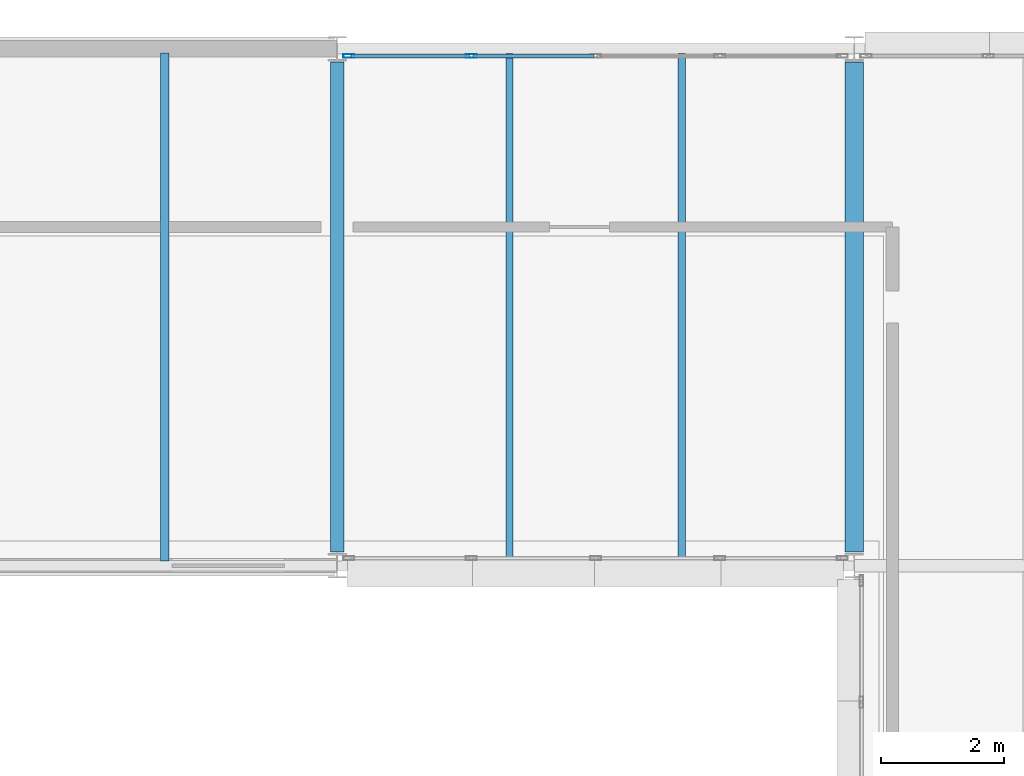
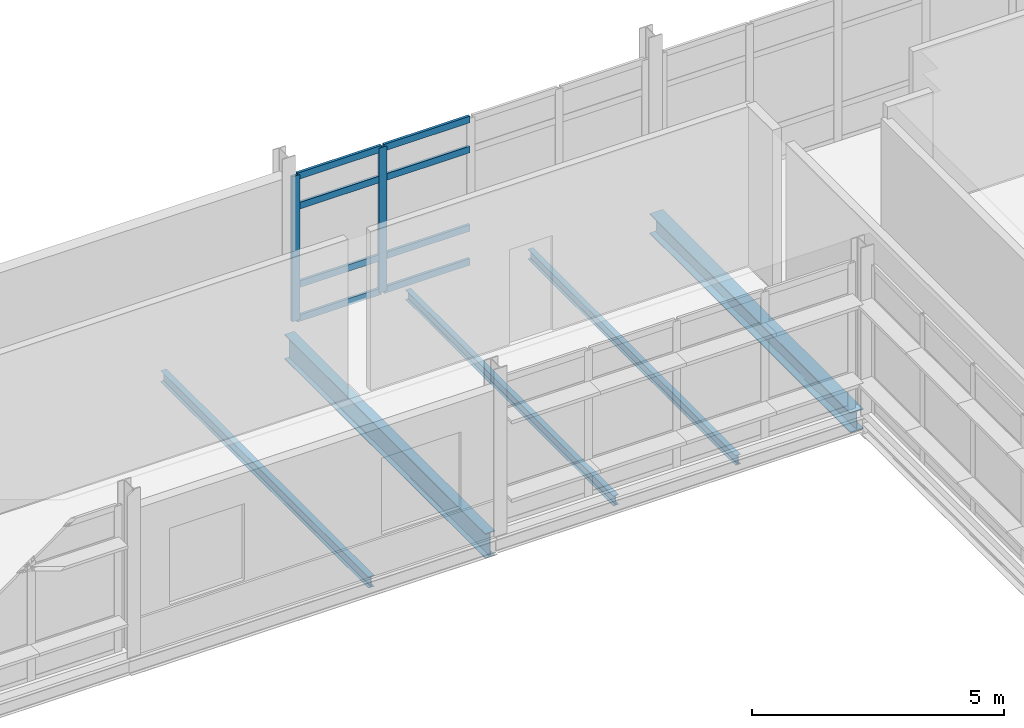
# One storey, part 46 of 103: 10 members, 5 beams, 1 element without a shape of its own.
"""IFC4 building model written with IfcOpenShell, lengths in metres."""

from ifc_helpers import new_model, si_unit, direction, frame, origin, origin_2d, place, context, subcontext, project, spatial, hollow_rectangle, i_section, extrude, material, material_profile, profile_set, type_object, element, aggregate, save


model = new_model("IFC4")

# Units and contexts
model_context = context("Model", 3, precision=1e-05, world=origin(), true_north=direction((0.0, 1.0)))
body_context = subcontext(model_context, "Body", "Model", "MODEL_VIEW")
ifc_project = project(units=[si_unit("LENGTHUNIT", "METRE"), si_unit("AREAUNIT", "SQUARE_METRE"), si_unit("VOLUMEUNIT", "CUBIC_METRE"), si_unit("PLANEANGLEUNIT", "RADIAN"), si_unit("MASSUNIT", "GRAM", prefix="KILO")], contexts=[model_context])

# Site, building, storey
site_placement = place(None, origin())
site = spatial("IfcSite", under=ifc_project, at=site_placement, CompositionType="ELEMENT")
building_placement = place(site_placement, origin())
building = spatial("IfcBuilding", under=site, at=building_placement, Name="Mersafa Astral City Hall", CompositionType="ELEMENT")
storey_placement = place(building_placement, frame((0.0, 0.0, 18.0)))
storey = spatial("IfcBuildingStorey", under=building, at=storey_placement, Name="L04", CompositionType="ELEMENT", Elevation=18.0)

# Curtain wall, members
ifc_material_1 = material(Name="Anodised bronze aluminium framing", Category="aluminium")
curtain_wall_type = type_object("IfcCurtainWallType", Name="ENV-CW-5", PredefinedType="USERDEFINED", material=ifc_material_1)
curtain_wall_placement = place(storey_placement, origin())
curtain_wall = element("IfcCurtainWall", 1, at=curtain_wall_placement, inside=storey, type_object=curtain_wall_type, Name="L04 Unitised solar curtain wall 196", ObjectType="UNITISED CURTAIN WALL", PredefinedType="USERDEFINED")
ifc_material_profile_1 = material_profile(ifc_material_1, hollow_rectangle(XDim=0.06005859375, YDim=0.179931640625, WallThickness=0.00390625, at=origin_2d()), Name="RHS 60x180x4")
ifc_profile_set_1 = profile_set([ifc_material_profile_1], Name="Anodised bronze aluminium framing")
member_type_1 = type_object("IfcMemberType", Name="ENV-CW-MUL-1", PredefinedType="MULLION", material=ifc_profile_set_1)
member_1_placement = place(storey_placement, frame((94.5810546875, 125.8798828125, -0.001953125), z_axis=(0.0, 0.0, 1.0), x_axis=(0.0, -1.0, 0.0)))
member_1 = element("IfcMember", 2, at=member_1_placement, type_object=member_type_1, Name="CW-5 mullion 4", PredefinedType="MULLION", context=body_context, shape_type="SweptSolid", body=[
    extrude(hollow_rectangle(XDim=0.06005859375, YDim=0.179931640625, WallThickness=0.00390625, at=origin_2d()), origin(), (0.0, 0.0, 1.0), 3.509033203125),
])
member_2_placement = place(storey_placement, frame((92.592041015625, 125.8798828125, -0.001953125), z_axis=(0.0, 0.0, 1.0), x_axis=(0.0, -1.0, 0.0)))
member_2 = element("IfcMember", 3, at=member_2_placement, type_object=member_type_1, Name="CW-5 mullion 5", PredefinedType="MULLION", context=body_context, shape_type="SweptSolid", body=[
    extrude(hollow_rectangle(XDim=0.06005859375, YDim=0.179931640625, WallThickness=0.00390625, at=origin_2d()), origin(), (0.0, 0.0, 1.0), 3.509033203125),
])
ifc_material_profile_2 = material_profile(ifc_material_1, hollow_rectangle(XDim=0.06005859375, YDim=0.159912109375, WallThickness=0.00390625, at=origin_2d()), Name="RHS 60x160x4")
ifc_profile_set_2 = profile_set([ifc_material_profile_2], Name="Anodised bronze aluminium framing")
member_type_2 = type_object("IfcMemberType", Name="ENV-CW-TRN-2", PredefinedType="USERDEFINED", material=ifc_profile_set_2)
member_3_placement = place(storey_placement, frame((96.570068359375, 125.8798828125, 0.028076171875), z_axis=(-1.0, 0.0, 0.0), x_axis=(0.0, -1.0, 0.0)))
member_3 = element("IfcMember", 4, at=member_3_placement, type_object=member_type_2, Name="CW-5 transom 3.1", ObjectType="TRANSOM", PredefinedType="USERDEFINED", context=body_context, shape_type="SweptSolid", body=[
    extrude(hollow_rectangle(XDim=0.06005859375, YDim=0.159912109375, WallThickness=0.00390625, at=origin_2d()), origin(), (0.0, 0.0, 1.0), 1.958984375),
])
member_4_placement = place(storey_placement, frame((96.570068359375, 125.8798828125, 0.85009765625), z_axis=(-1.0, 0.0, 0.0), x_axis=(0.0, -1.0, 0.0)))
member_4 = element("IfcMember", 5, at=member_4_placement, type_object=member_type_2, Name="CW-5 transom 3.2", ObjectType="TRANSOM", PredefinedType="USERDEFINED", context=body_context, shape_type="SweptSolid", body=[
    extrude(hollow_rectangle(XDim=0.06005859375, YDim=0.159912109375, WallThickness=0.00390625, at=origin_2d()), origin(), (0.0, 0.0, 1.0), 1.958984375),
])
member_5_placement = place(storey_placement, frame((96.570068359375, 125.8798828125, 2.75), z_axis=(-1.0, 0.0, 0.0), x_axis=(0.0, -1.0, 0.0)))
member_5 = element("IfcMember", 6, at=member_5_placement, type_object=member_type_2, Name="CW-5 transom 3.3", ObjectType="TRANSOM", PredefinedType="USERDEFINED", context=body_context, shape_type="SweptSolid", body=[
    extrude(hollow_rectangle(XDim=0.06005859375, YDim=0.159912109375, WallThickness=0.00390625, at=origin_2d()), origin(), (0.0, 0.0, 1.0), 1.958984375),
])
member_6_placement = place(storey_placement, frame((96.570068359375, 125.8798828125, 3.47705078125), z_axis=(-1.0, 0.0, 0.0), x_axis=(0.0, -1.0, 0.0)))
member_6 = element("IfcMember", 7, at=member_6_placement, type_object=member_type_2, Name="CW-5 transom 3.4", ObjectType="TRANSOM", PredefinedType="USERDEFINED", context=body_context, shape_type="SweptSolid", body=[
    extrude(hollow_rectangle(XDim=0.06005859375, YDim=0.159912109375, WallThickness=0.00390625, at=origin_2d()), origin(), (0.0, 0.0, 1.0), 1.958984375),
])
member_7_placement = place(storey_placement, frame((94.551025390625, 125.8798828125, 0.028076171875), z_axis=(-1.0, 0.0, 0.0), x_axis=(0.0, -1.0, 0.0)))
member_7 = element("IfcMember", 8, at=member_7_placement, type_object=member_type_2, Name="CW-5 transom 4.1", ObjectType="TRANSOM", PredefinedType="USERDEFINED", context=body_context, shape_type="SweptSolid", body=[
    extrude(hollow_rectangle(XDim=0.06005859375, YDim=0.159912109375, WallThickness=0.00390625, at=origin_2d()), origin(), (0.0, 0.0, 1.0), 1.928955078125),
])
member_8_placement = place(storey_placement, frame((94.551025390625, 125.8798828125, 0.85009765625), z_axis=(-1.0, 0.0, 0.0), x_axis=(0.0, -1.0, 0.0)))
member_8 = element("IfcMember", 9, at=member_8_placement, type_object=member_type_2, Name="CW-5 transom 4.2", ObjectType="TRANSOM", PredefinedType="USERDEFINED", context=body_context, shape_type="SweptSolid", body=[
    extrude(hollow_rectangle(XDim=0.06005859375, YDim=0.159912109375, WallThickness=0.00390625, at=origin_2d()), origin(), (0.0, 0.0, 1.0), 1.928955078125),
])
member_9_placement = place(storey_placement, frame((94.551025390625, 125.8798828125, 2.75), z_axis=(-1.0, 0.0, 0.0), x_axis=(0.0, -1.0, 0.0)))
member_9 = element("IfcMember", 10, at=member_9_placement, type_object=member_type_2, Name="CW-5 transom 4.3", ObjectType="TRANSOM", PredefinedType="USERDEFINED", context=body_context, shape_type="SweptSolid", body=[
    extrude(hollow_rectangle(XDim=0.06005859375, YDim=0.159912109375, WallThickness=0.00390625, at=origin_2d()), origin(), (0.0, 0.0, 1.0), 1.928955078125),
])
member_10_placement = place(storey_placement, frame((94.551025390625, 125.8798828125, 3.47705078125), z_axis=(-1.0, 0.0, 0.0), x_axis=(0.0, -1.0, 0.0)))
member_10 = element("IfcMember", 11, at=member_10_placement, type_object=member_type_2, Name="CW-5 transom 4.4", ObjectType="TRANSOM", PredefinedType="USERDEFINED", context=body_context, shape_type="SweptSolid", body=[
    extrude(hollow_rectangle(XDim=0.06005859375, YDim=0.159912109375, WallThickness=0.00390625, at=origin_2d()), origin(), (0.0, 0.0, 1.0), 1.928955078125),
])
aggregate(curtain_wall, [member_1, member_2, member_3, member_4, member_5, member_6, member_7, member_8, member_9, member_10])

# Beams
ifc_material_2 = material(Name="Steel S355", Category="steel")
ifc_material_profile_3 = material_profile(ifc_material_2, i_section(OverallWidth=0.300048828125, OverallDepth=0.489990234375, WebThickness=0.011962890625, FlangeThickness=0.02294921875, FilletRadius=0.027099609375, at=origin_2d()), Name="HEA 500")
ifc_profile_set_3 = profile_set([ifc_material_profile_3], Name="Steel S355")
beam_type_1 = type_object("IfcBeamType", Name="STR-BM-HEA500", PredefinedType="BEAM", material=ifc_profile_set_3)
beam_1_placement = place(storey_placement, frame((100.800048828125, 117.820068359375, -0.429931640625), z_axis=(0.0, 1.0, 0.0), x_axis=(-1.0, 0.0, 0.0)))
element("IfcBeam", 12, at=beam_1_placement, inside=storey, type_object=beam_type_1, Name="L04 Primary girder Y 12-14", PredefinedType="BEAM", context=body_context, shape_type="SweptSolid", body=[
    extrude(i_section(OverallWidth=0.300048828125, OverallDepth=0.489990234375, WebThickness=0.011962890625, FlangeThickness=0.02294921875, FilletRadius=0.027099609375, at=origin_2d()), origin(), (0.0, 0.0, 1.0), 7.9599609375),
])
ifc_material_profile_4 = material_profile(ifc_material_2, i_section(OverallWidth=0.219970703125, OverallDepth=0.60009765625, WebThickness=0.011962890625, FlangeThickness=0.01904296875, FilletRadius=0.02392578125, at=origin_2d()), Name="IPE 600")
ifc_profile_set_4 = profile_set([ifc_material_profile_4], Name="Steel S355")
beam_type_2 = type_object("IfcBeamType", Name="STR-BM-IPE600", PredefinedType="BEAM", material=ifc_profile_set_4)
beam_2_placement = place(storey_placement, frame((92.39990234375, 117.820068359375, -0.485107421875), z_axis=(0.0, 1.0, 0.0), x_axis=(-1.0, 0.0, 0.0)))
element("IfcBeam", 13, at=beam_2_placement, inside=storey, type_object=beam_type_2, Name="L04 Primary girder Y 11-14", PredefinedType="BEAM", context=body_context, shape_type="SweptSolid", body=[
    extrude(i_section(OverallWidth=0.219970703125, OverallDepth=0.60009765625, WebThickness=0.011962890625, FlangeThickness=0.01904296875, FilletRadius=0.02392578125, at=origin_2d()), origin(), (0.0, 0.0, 1.0), 7.9599609375),
])
ifc_material_profile_5 = material_profile(ifc_material_2, i_section(OverallWidth=0.1201171875, OverallDepth=0.239990234375, WebThickness=0.006103515625, FlangeThickness=0.009765625, FilletRadius=0.014892578125, at=origin_2d()), Name="IPE 240")
ifc_profile_set_5 = profile_set([ifc_material_profile_5], Name="Steel S355")
beam_type_3 = type_object("IfcBeamType", Name="STR-BM-JOIST-IPE240", PredefinedType="JOIST", material=ifc_profile_set_5)
for number, where, z_axis, x_axis, name in (
    (14, (95.199951171875, 117.675048828125, -0.304931640625), (0.0, 1.0, 0.0), (-1.0, 0.0, 0.0), "L04 Composite secondary floor joist 716"),
    (15, (98.0, 117.675048828125, -0.304931640625), (0.0, 1.0, 0.0), (-1.0, 0.0, 0.0), "L04 Composite secondary floor joist 717"),
):
    element("IfcBeam", number, at=place(storey_placement, frame(where, z_axis=z_axis, x_axis=x_axis)), inside=storey, type_object=beam_type_3, Name=name, PredefinedType="JOIST", context=body_context, shape_type="SweptSolid", body=[
        extrude(i_section(OverallWidth=0.1201171875, OverallDepth=0.239990234375, WebThickness=0.006103515625, FlangeThickness=0.009765625, FilletRadius=0.014892578125, at=origin_2d()), origin(), (0.0, 0.0, 1.0), 8.244873046875),
    ])
ifc_material_profile_6 = material_profile(ifc_material_2, i_section(OverallWidth=0.135009765625, OverallDepth=0.27001953125, WebThickness=0.006591796875, FlangeThickness=0.01025390625, FilletRadius=0.014892578125, at=origin_2d()), Name="IPE 270")
ifc_profile_set_6 = profile_set([ifc_material_profile_6], Name="Steel S355")
beam_type_4 = type_object("IfcBeamType", Name="STR-BM-JOIST-IPE270", PredefinedType="JOIST", material=ifc_profile_set_6)
beam_3_placement = place(storey_placement, frame((89.60009765625, 117.679931640625, -0.320068359375), z_axis=(0.0, 1.0, 0.0), x_axis=(-1.0, 0.0, 0.0)))
element("IfcBeam", 16, at=beam_3_placement, inside=storey, type_object=beam_type_4, Name="L04 Composite secondary floor joist 709", PredefinedType="JOIST", context=body_context, shape_type="SweptSolid", body=[
    extrude(i_section(OverallWidth=0.135009765625, OverallDepth=0.27001953125, WebThickness=0.006591796875, FlangeThickness=0.01025390625, FilletRadius=0.014892578125, at=origin_2d()), origin(), (0.0, 0.0, 1.0), 8.2451171875),
])

save(model, "model.ifc")
